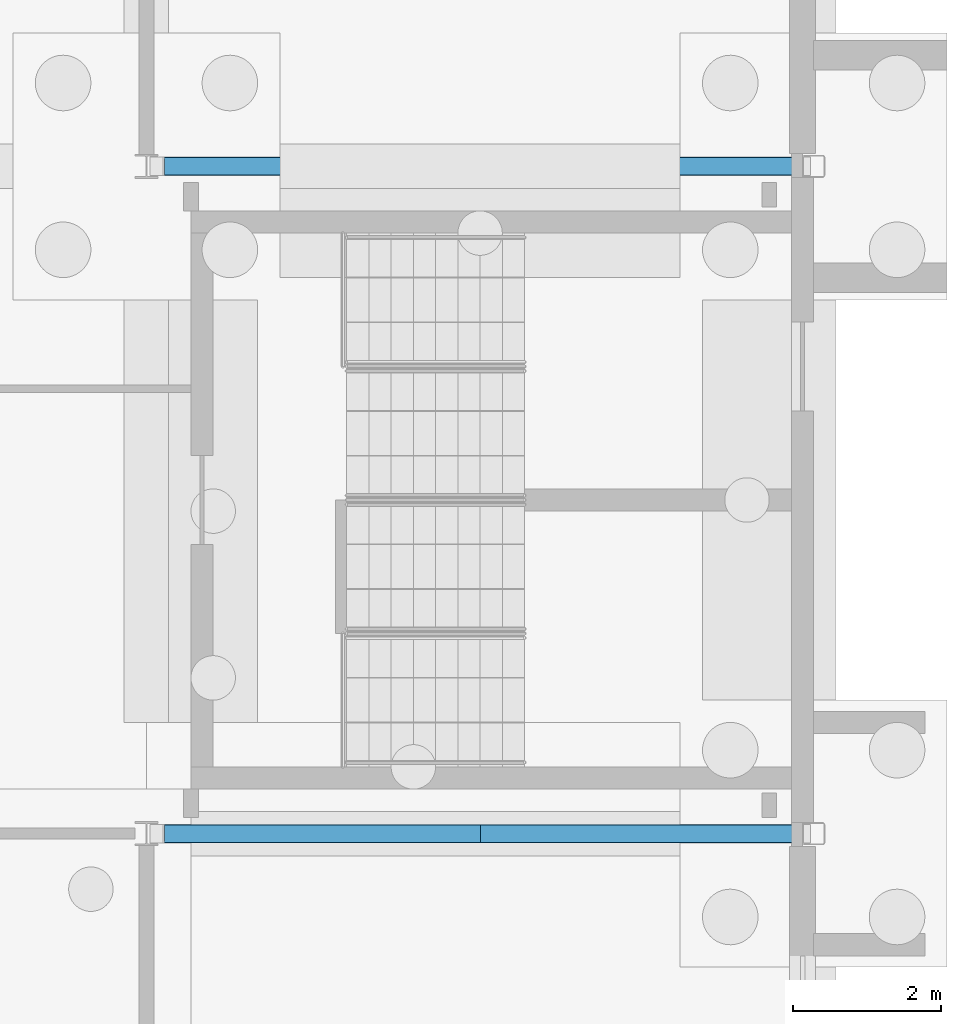
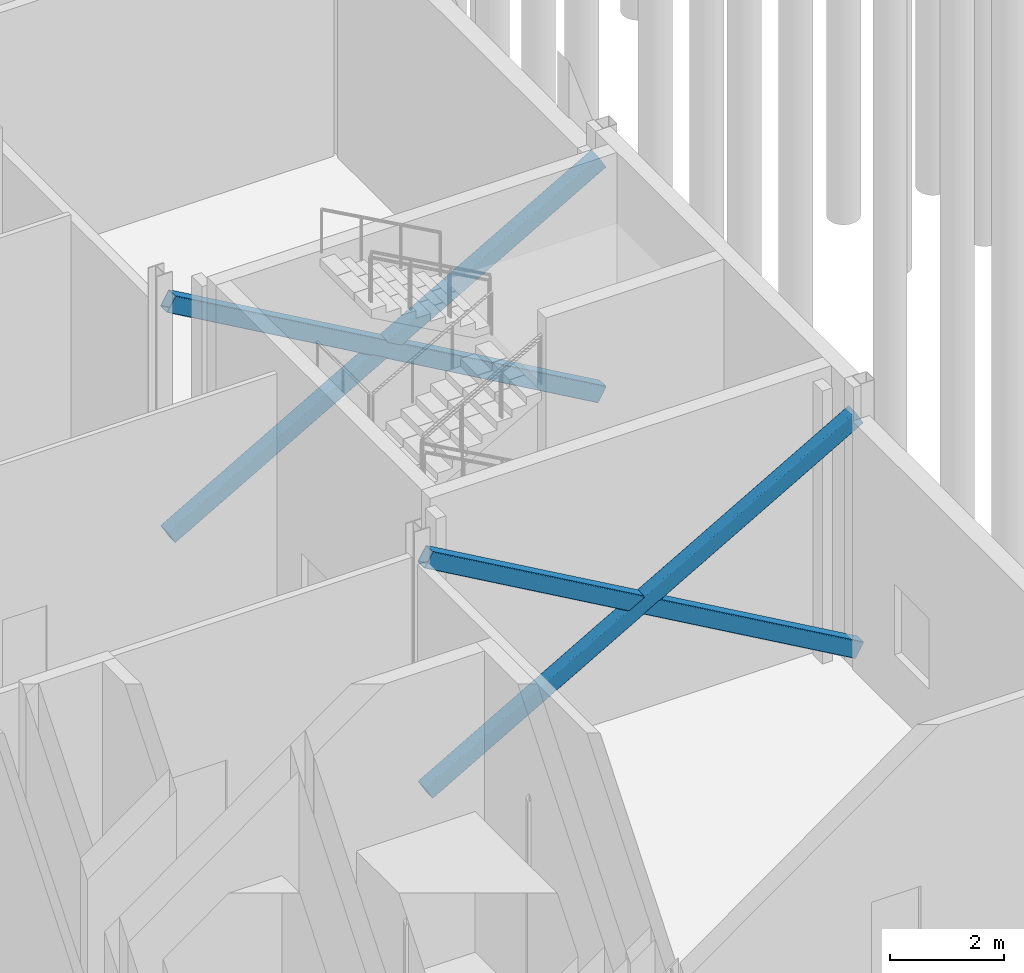
# One storey, part 46 of 139: 4 members.
"""IFC4 building model written with IfcOpenShell, lengths in metres."""

from ifc_helpers import new_model, si_unit, direction, frame, origin, origin_2d, place, context, subcontext, project, spatial, hollow_rectangle, extrude, material, material_profile, profile_set, type_object, element, save


model = new_model("IFC4")

# Units and contexts
model_context = context("Model", 3, precision=1e-05, world=origin(), true_north=direction((0.0, 1.0)))
body_context = subcontext(model_context, "Body", "Model", "MODEL_VIEW")
ifc_project = project(units=[si_unit("LENGTHUNIT", "METRE"), si_unit("AREAUNIT", "SQUARE_METRE"), si_unit("VOLUMEUNIT", "CUBIC_METRE"), si_unit("PLANEANGLEUNIT", "RADIAN"), si_unit("MASSUNIT", "GRAM", prefix="KILO")], contexts=[model_context])

# Site, building, storey
site_placement = place(None, origin())
site = spatial("IfcSite", under=ifc_project, at=site_placement, CompositionType="ELEMENT")
building_placement = place(site_placement, origin())
building = spatial("IfcBuilding", under=site, at=building_placement, Name="Shorebreak Coast Museum", CompositionType="ELEMENT")
storey_placement = place(building_placement, origin())
storey = spatial("IfcBuildingStorey", under=building, at=storey_placement, Name="L00", CompositionType="ELEMENT", Elevation=0.0)

# Members
ifc_material = material(Name="Steel Grade C450L0", Category="steel")
ifc_material_profile = material_profile(ifc_material, hollow_rectangle(XDim=0.25, YDim=0.35009765625, WallThickness=0.012451171875, InnerFilletRadius=0.018798828125, OuterFilletRadius=0.03125, at=origin_2d()), Name="350x250x12.5 RHS")
ifc_profile_set = profile_set([ifc_material_profile], Name="Steel Grade C450L0")
member_type = type_object("IfcMemberType", Name="X-brace 350x250x12.5 RHS", PredefinedType="BRACE", material=ifc_profile_set)
for number, where, z_axis, x_axis, name in (
    (1, (108.154541015625, 27.0, 0.300048828125), (0.86798657867, 0.0, 0.496587655152), (0.0, 1.0, 0.0), "X-brace bay 17 L00 diagonal 1"),
    (2, (116.85009765625, 27.0, 0.300048828125), (-0.86798657867, 0.0, 0.496587655152), (0.0, -1.0, 0.0), "X-brace bay 17 L00 diagonal 2"),
    (3, (108.154541015625, 36.0, 0.300048828125), (0.86798657867, 0.0, 0.496587655152), (0.0, 1.0, 0.0), "X-brace bay 18 L00 diagonal 1"),
    (4, (116.85009765625, 36.0, 0.300048828125), (-0.86798657867, 0.0, 0.496587655152), (0.0, -1.0, 0.0), "X-brace bay 18 L00 diagonal 2"),
):
    element("IfcMember", number, at=place(storey_placement, frame(where, z_axis=z_axis, x_axis=x_axis)), inside=storey, type_object=member_type, Name=name, PredefinedType="BRACE", context=body_context, shape_type="SweptSolid", body=[
        extrude(hollow_rectangle(XDim=0.25, YDim=0.35009765625, WallThickness=0.012451171875, InnerFilletRadius=0.018798828125, OuterFilletRadius=0.03125, at=origin_2d()), origin(), (0.0, 0.0, 1.0), 10.01806640625),
    ])

save(model, "model.ifc")
